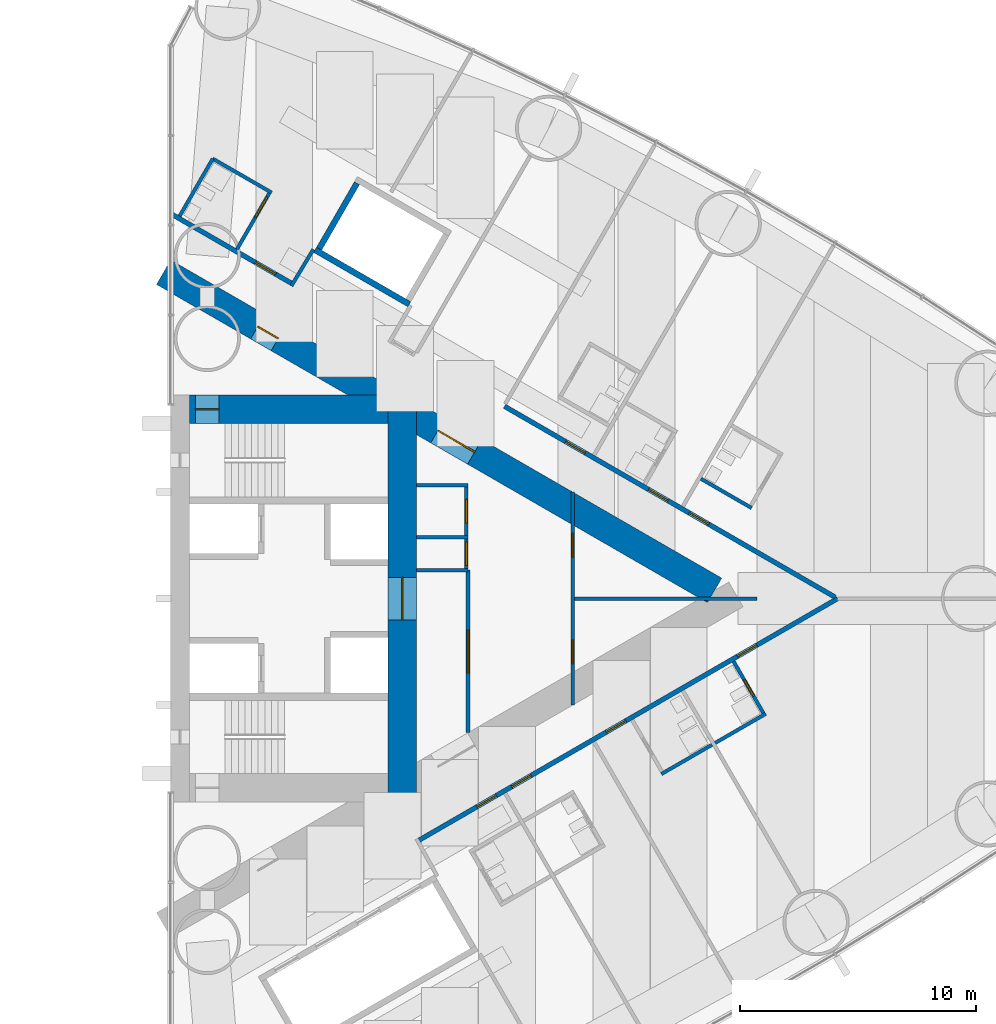
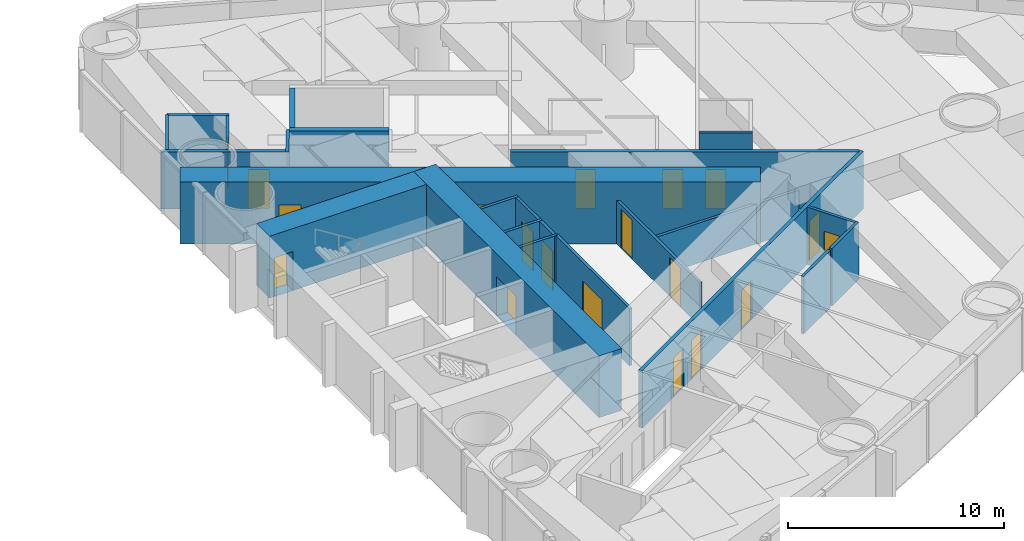
# One storey, part 15 of 19: 24 walls, 19 doors, 19 openings.
"""IFC4 building model written with IfcOpenShell, lengths in metres."""

from ifc_helpers import new_model, si_unit, direction, frame, frame_2d, origin, place, context, subcontext, project, spatial, rectangle, extrude, material, layer, layer_set, type_object, element, fill, save


model = new_model("IFC4")

# Units and contexts
model_context = context("Model", 3, precision=1e-05, world=origin(), true_north=direction((0.0, 1.0)))
body_context = subcontext(model_context, "Body", "Model", "MODEL_VIEW")
ifc_project = project(units=[si_unit("LENGTHUNIT", "METRE"), si_unit("AREAUNIT", "SQUARE_METRE"), si_unit("VOLUMEUNIT", "CUBIC_METRE"), si_unit("PLANEANGLEUNIT", "RADIAN"), si_unit("MASSUNIT", "GRAM", prefix="KILO")], contexts=[model_context])

# Site, building, storey
site_placement = place(None, origin())
site = spatial("IfcSite", under=ifc_project, at=site_placement, CompositionType="ELEMENT")
building_placement = place(site_placement, origin())
building = spatial("IfcBuilding", under=site, at=building_placement, Name="Lancet Gate Hotel", CompositionType="ELEMENT")
storey_placement = place(building_placement, frame((0.0, 0.0, 32.0)))
storey = spatial("IfcBuildingStorey", under=building, at=storey_placement, Name="L07", CompositionType="ELEMENT", Elevation=32.0)

# Walls
ifc_material_1 = material(Name="Moisture resistant board partition")
ifc_layer_1 = layer(ifc_material_1, 0.14990234375)
ifc_layer_set_1 = layer_set([ifc_layer_1], Name="Bathroom wall 150")
wall_type_1 = type_object("IfcWallType", Name="Bathroom wall 150", PredefinedType="PARTITIONING", material=ifc_layer_set_1)
wall_1_placement = place(storey_placement, frame((48.251220703125, -7.419677734375, 0.0), z_axis=(0.0, 0.0, 1.0), x_axis=(0.866006523861, 0.500032699561, 0.0)))
element("IfcWall", 1, at=wall_1_placement, inside=storey, type_object=wall_type_1, Name="T2 bathroom wall 150 L07", PredefinedType="PARTITIONING", context=body_context, shape_type="SweptSolid", body=[
    extrude(rectangle(XDim=2.474853515625, YDim=0.14990234375, at=frame_2d((1.2373046875, 0.0))), origin(), (0.0, 0.0, 1.0), 3.25),
])
wall_2_placement = place(storey_placement, frame((50.5244140625, -6.107177734375, 0.0), z_axis=(0.0, 0.0, 1.0), x_axis=(0.866031185235, 0.4999899861, 0.0)))
element("IfcWall", 2, at=wall_2_placement, inside=storey, type_object=wall_type_1, Name="T2 bathroom wall 150 L07", PredefinedType="PARTITIONING", context=body_context, shape_type="SweptSolid", body=[
    extrude(rectangle(XDim=2.47509765625, YDim=0.14990234375, at=frame_2d((1.237548828125, 0.0))), origin(), (0.0, 0.0, 1.0), 3.25),
])

# Wall, opening, door
wall_3_placement = place(storey_placement, frame((51.302978515625, -2.655517578125, 0.0), z_axis=(0.0, 0.0, 1.0), x_axis=(0.500047596559, -0.865997922154, 0.0)))
wall_3 = element("IfcWall", 3, at=wall_3_placement, inside=storey, type_object=wall_type_1, Name="T2 bathroom wall 150 L07", PredefinedType="PARTITIONING", context=body_context, shape_type="SweptSolid", body=[
    extrude(rectangle(XDim=2.599853515625, YDim=0.14990234375, at=frame_2d((1.2998046875, 0.0))), origin(), (0.0, 0.0, 1.0), 3.25),
])
opening_1_placement = place(wall_3_placement, frame((0.89990234375, 0.0, 0.0)))
opening_1 = element("IfcOpeningElement", 4, at=opening_1_placement, cuts=wall_3, Name="Opening 0756-B", PredefinedType="OPENING", context=body_context, shape_type="SweptSolid", body=[
    extrude(rectangle(XDim=0.800048828125, YDim=2.199951171875, at=frame_2d((0.39990234375, 1.10009765625))), frame((0.0, 0.0849609375, 0.0), z_axis=(0.0, -1.0, 0.0), x_axis=(1.0, 0.0, 0.0)), (0.0, 0.0, 1.0), 0.169921875),
])
ifc_material_2 = material(Name="Timber door set", Category="wood")
door_type_1 = type_object("IfcDoorType", Name="Bathroom door 800", OperationType="SINGLE_SWING_RIGHT", PredefinedType="DOOR", material=ifc_material_2)
door_1_placement = place(opening_1_placement, origin())
door_1 = element("IfcDoor", 5, at=door_1_placement, inside=storey, type_object=door_type_1, Name="0756-B", OperationType="SINGLE_SWING_RIGHT", OverallHeight=2.199951171875, OverallWidth=0.800048828125, PredefinedType="DOOR", context=body_context, shape_type="SweptSolid", body=[
    extrude(rectangle(XDim=0.800048828125, YDim=2.199951171875, at=frame_2d((0.39990234375, 1.10009765625))), frame((0.0, 0.02490234375, 0.0), z_axis=(0.0, -1.0, 0.0), x_axis=(1.0, 0.0, 0.0)), (0.0, 0.0, 1.0), 0.050048828125),
])
fill(opening_1, door_1)

# Walls
wall_4_placement = place(storey_placement, frame((49.924560546875, 5.06787109375, 0.0), z_axis=(0.0, 0.0, 1.0), x_axis=(0.866006523861, -0.500032699561, 0.0)))
element("IfcWall", 6, at=wall_4_placement, inside=storey, type_object=wall_type_1, Name="T2 bathroom wall 150 L07", PredefinedType="PARTITIONING", context=body_context, shape_type="SweptSolid", body=[
    extrude(rectangle(XDim=2.474853515625, YDim=0.14990234375, at=frame_2d((1.2373046875, 0.0))), origin(), (0.0, 0.0, 1.0), 3.25),
])
wall_5_placement = place(storey_placement, frame((29.281982421875, 18.6025390625, 0.0), z_axis=(0.0, 0.0, 1.0), x_axis=(0.866018712932, -0.500011588718, 0.0)))
element("IfcWall", 7, at=wall_5_placement, inside=storey, type_object=wall_type_1, Name="T2 bathroom wall 150 L07", PredefinedType="PARTITIONING", context=body_context, shape_type="SweptSolid", body=[
    extrude(rectangle(XDim=2.875, YDim=0.14990234375, at=frame_2d((1.4375, 0.0))), origin(), (0.0, 0.0, 1.0), 3.25),
])

# Wall, opening, door
wall_6_placement = place(storey_placement, frame((30.306640625, 14.777587890625, 0.0), z_axis=(0.0, 0.0, 1.0), x_axis=(0.500049511043, 0.865996816683, 0.0)))
wall_6 = element("IfcWall", 8, at=wall_6_placement, inside=storey, type_object=wall_type_1, Name="T2 bathroom wall 150 L07", PredefinedType="PARTITIONING", context=body_context, shape_type="SweptSolid", body=[
    extrude(rectangle(XDim=2.800048828125, YDim=0.14990234375, at=frame_2d((1.39990234375, 0.0))), origin(), (0.0, 0.0, 1.0), 3.25),
])
opening_2_placement = place(wall_6_placement, frame((1.550048828125, 0.0, 0.0)))
opening_2 = element("IfcOpeningElement", 9, at=opening_2_placement, cuts=wall_6, Name="Opening 0764-B", PredefinedType="OPENING", context=body_context, shape_type="SweptSolid", body=[
    extrude(rectangle(XDim=1.0, YDim=2.199951171875, at=frame_2d((0.5, 1.10009765625))), frame((0.0, 0.0849609375, 0.0), z_axis=(0.0, -1.0, 0.0), x_axis=(1.0, 0.0, 0.0)), (0.0, 0.0, 1.0), 0.169921875),
])
ifc_material_3 = material(Name="Timber door set", Category="wood")
door_type_2 = type_object("IfcDoorType", Name="Accessible en-suite door 1000", OperationType="SINGLE_SWING_RIGHT", PredefinedType="DOOR", material=ifc_material_3)
door_2_placement = place(opening_2_placement, origin())
door_2 = element("IfcDoor", 10, at=door_2_placement, inside=storey, type_object=door_type_2, Name="0764-B", OperationType="SINGLE_SWING_RIGHT", OverallHeight=2.199951171875, OverallWidth=1.0, PredefinedType="DOOR", context=body_context, shape_type="SweptSolid", body=[
    extrude(rectangle(XDim=1.0, YDim=2.199951171875, at=frame_2d((0.5, 1.10009765625))), frame((0.0, 0.02490234375, 0.0), z_axis=(0.0, -1.0, 0.0), x_axis=(1.0, 0.0, 0.0)), (0.0, 0.0, 1.0), 0.050048828125),
])
fill(opening_2, door_2)

# Wall
wall_7_placement = place(storey_placement, frame((27.8818359375, 16.177490234375, 0.0), z_axis=(0.0, 0.0, 1.0), x_axis=(0.500011755427, 0.866018616679, 0.0)))
element("IfcWall", 11, at=wall_7_placement, inside=storey, type_object=wall_type_1, Name="T2 bathroom wall 150 L07", PredefinedType="PARTITIONING", context=body_context, shape_type="SweptSolid", body=[
    extrude(rectangle(XDim=2.80029296875, YDim=0.14990234375, at=frame_2d((1.400146484375, 0.0))), origin(), (0.0, 0.0, 1.0), 3.25),
])

# Wall, openings, doors
ifc_material_4 = material(Name="Concrete C70/85", Category="concrete")
ifc_layer_2 = layer(ifc_material_4, 1.199951171875)
ifc_layer_set_2 = layer_set([ifc_layer_2], Name="Buttress wall 1200")
wall_type_2 = type_object("IfcWallType", Name="Buttress wall 1200", PredefinedType="SHEAR", material=ifc_layer_set_2)
wall_8_placement = place(storey_placement, frame((27.199951171875, 13.800048828125, 0.0), z_axis=(0.0, 0.0, 1.0), x_axis=(0.866024515034, -0.500001539357, 0.0)))
wall_8 = element("IfcWall", 12, at=wall_8_placement, inside=storey, type_object=wall_type_2, Name="T2 buttress wall N L07", PredefinedType="SHEAR", context=body_context, shape_type="SweptSolid", body=[
    extrude(rectangle(XDim=26.9072265625, YDim=1.199951171875, at=frame_2d((13.45361328125, 0.0))), origin(), (0.0, 0.0, 1.0), 3.5),
])
opening_3_placement = place(wall_8_placement, frame((4.60009765625, 0.0, 0.0)))
opening_3 = element("IfcOpeningElement", 13, at=opening_3_placement, cuts=wall_8, Name="Opening T2-L07-LN", PredefinedType="OPENING", context=body_context, shape_type="SweptSolid", body=[
    extrude(rectangle(XDim=1.0, YDim=2.199951171875, at=frame_2d((0.5, 1.10009765625))), frame((0.0, 0.60986328125, 0.0), z_axis=(0.0, -1.0, 0.0), x_axis=(1.0, 0.0, 0.0)), (0.0, 0.0, 1.0), 1.219970703125),
])
opening_4_placement = place(wall_8_placement, frame((13.39453125, 0.0, 0.0)))
opening_4 = element("IfcOpeningElement", 14, at=opening_4_placement, cuts=wall_8, Name="Opening T2-L07-LHN", PredefinedType="OPENING", context=body_context, shape_type="SweptSolid", body=[
    extrude(rectangle(XDim=1.800048828125, YDim=2.199951171875, at=frame_2d((0.89990234375, 1.10009765625))), frame((0.0, 0.60986328125, 0.0), z_axis=(0.0, -1.0, 0.0), x_axis=(1.0, 0.0, 0.0)), (0.0, 0.0, 1.0), 1.219970703125),
])
ifc_material_5 = material(Name="Timber door set", Category="wood")
door_type_3 = type_object("IfcDoorType", Name="Lobby double door 1800", OperationType="DOUBLE_DOOR_SINGLE_SWING", PredefinedType="DOOR", material=ifc_material_5)
door_3_placement = place(opening_4_placement, origin())
door_3 = element("IfcDoor", 15, at=door_3_placement, inside=storey, type_object=door_type_3, Name="T2-L07-LHN", OperationType="DOUBLE_DOOR_SINGLE_SWING", OverallHeight=2.199951171875, OverallWidth=1.800048828125, PredefinedType="DOOR", context=body_context, shape_type="SweptSolid", body=[
    extrude(rectangle(XDim=1.800048828125, YDim=2.199951171875, at=frame_2d((0.89990234375, 1.10009765625))), frame((0.0, 0.02490234375, 0.0), z_axis=(0.0, -1.0, 0.0), x_axis=(1.0, 0.0, 0.0)), (0.0, 0.0, 1.0), 0.050048828125),
])
fill(opening_4, door_3)
ifc_material_6 = material(Name="Timber door set", Category="wood")
door_type_4 = type_object("IfcDoorType", Name="Stair lobby door 1000", OperationType="SINGLE_SWING_LEFT", PredefinedType="DOOR", material=ifc_material_6)
door_4_placement = place(opening_3_placement, origin())
door_4 = element("IfcDoor", 16, at=door_4_placement, inside=storey, type_object=door_type_4, Name="T2-L07-LN", OperationType="SINGLE_SWING_LEFT", OverallHeight=2.199951171875, OverallWidth=1.0, PredefinedType="DOOR", context=body_context, shape_type="SweptSolid", body=[
    extrude(rectangle(XDim=1.0, YDim=2.199951171875, at=frame_2d((0.5, 1.10009765625))), frame((0.0, 0.02490234375, 0.0), z_axis=(0.0, -1.0, 0.0), x_axis=(1.0, 0.0, 0.0)), (0.0, 0.0, 1.0), 0.050048828125),
])
fill(opening_3, door_4)

# Wall, opening, door
ifc_material_7 = material(Name="Concrete C70/85", Category="concrete")
ifc_layer_3 = layer(ifc_material_7, 1.199951171875)
ifc_layer_set_3 = layer_set([ifc_layer_3], Name="Core wall 1200")
wall_type_3 = type_object("IfcWallType", Name="Core wall 1200", PredefinedType="SHEAR", material=ifc_layer_set_3)
wall_9_placement = place(storey_placement, frame((37.300048828125, -8.60009765625, 0.0), z_axis=(0.0, 0.0, 1.0), x_axis=(0.0, 1.0, 0.0)))
wall_9 = element("IfcWall", 17, at=wall_9_placement, inside=storey, type_object=wall_type_3, Name="T2 core wall back L07", PredefinedType="SHEAR", context=body_context, shape_type="SweptSolid", body=[
    extrude(rectangle(XDim=17.2001953125, YDim=1.199951171875, at=frame_2d((8.60009765625, 0.0))), origin(), (0.0, 0.0, 1.0), 3.5),
])
opening_5_placement = place(wall_9_placement, frame((7.699951171875, 0.0, 0.0)))
opening_5 = element("IfcOpeningElement", 18, at=opening_5_placement, cuts=wall_9, Name="Opening T2-L07-LL", PredefinedType="OPENING", context=body_context, shape_type="SweptSolid", body=[
    extrude(rectangle(XDim=1.800048828125, YDim=2.199951171875, at=frame_2d((0.89990234375, 1.10009765625))), frame((0.0, 0.60986328125, 0.0), z_axis=(0.0, -1.0, 0.0), x_axis=(1.0, 0.0, 0.0)), (0.0, 0.0, 1.0), 1.219970703125),
])
door_5_placement = place(opening_5_placement, origin())
door_5 = element("IfcDoor", 19, at=door_5_placement, inside=storey, type_object=door_type_3, Name="T2-L07-LL", OperationType="DOUBLE_DOOR_SINGLE_SWING", OverallHeight=2.199951171875, OverallWidth=1.800048828125, PredefinedType="DOOR", context=body_context, shape_type="SweptSolid", body=[
    extrude(rectangle(XDim=1.800048828125, YDim=2.199951171875, at=frame_2d((0.89990234375, 1.10009765625))), frame((0.0, 0.02490234375, 0.0), z_axis=(0.0, -1.0, 0.0), x_axis=(1.0, 0.0, 0.0)), (0.0, 0.0, 1.0), 0.050048828125),
])
fill(opening_5, door_5)

wall_10_placement = place(storey_placement, frame((28.300048828125, 8.0, 0.0), z_axis=(0.0, 0.0, 1.0), x_axis=(1.0, 0.0, 0.0)))
wall_10 = element("IfcWall", 20, at=wall_10_placement, inside=storey, type_object=wall_type_3, Name="T2 core wall side-N L07", PredefinedType="SHEAR", context=body_context, shape_type="SweptSolid", body=[
    extrude(rectangle(XDim=8.39990234375, YDim=1.199951171875, at=frame_2d((4.199951171875, 0.0))), origin(), (0.0, 0.0, 1.0), 3.5),
])
opening_6_placement = place(wall_10_placement, frame((0.25, 0.0, 0.0)))
opening_6 = element("IfcOpeningElement", 21, at=opening_6_placement, cuts=wall_10, Name="Opening T2-L07-ST2", PredefinedType="OPENING", context=body_context, shape_type="SweptSolid", body=[
    extrude(rectangle(XDim=1.0, YDim=2.199951171875, at=frame_2d((0.5, 1.10009765625))), frame((0.0, 0.60986328125, 0.0), z_axis=(0.0, -1.0, 0.0), x_axis=(1.0, 0.0, 0.0)), (0.0, 0.0, 1.0), 1.219970703125),
])
ifc_material_8 = material(Name="Timber door set", Category="wood")
door_type_5 = type_object("IfcDoorType", Name="Stair door 1000", OperationType="SINGLE_SWING_RIGHT", PredefinedType="DOOR", material=ifc_material_8)
door_6_placement = place(opening_6_placement, origin())
door_6 = element("IfcDoor", 22, at=door_6_placement, inside=storey, type_object=door_type_5, Name="T2-L07-ST2", OperationType="SINGLE_SWING_RIGHT", OverallHeight=2.199951171875, OverallWidth=1.0, PredefinedType="DOOR", context=body_context, shape_type="SweptSolid", body=[
    extrude(rectangle(XDim=1.0, YDim=2.199951171875, at=frame_2d((0.5, 1.10009765625))), frame((0.0, 0.02490234375, 0.0), z_axis=(0.0, -1.0, 0.0), x_axis=(1.0, 0.0, 0.0)), (0.0, 0.0, 1.0), 0.050048828125),
])
fill(opening_6, door_6)

# Wall, openings, doors
ifc_material_9 = material(Name="Gypsum board partition")
ifc_layer_4 = layer(ifc_material_9, 0.199951171875)
ifc_layer_set_4 = layer_set([ifc_layer_4], Name="Corridor wall 200")
wall_type_4 = type_object("IfcWallType", Name="Corridor wall 200", PredefinedType="PARTITIONING", material=ifc_layer_set_4)
wall_11_placement = place(storey_placement, frame((37.9599609375, -10.243408203125, 0.0), z_axis=(0.0, 0.0, 1.0), x_axis=(0.866026429433, 0.499998223521, 0.0)))
wall_11 = element("IfcWall", 23, at=wall_11_placement, inside=storey, type_object=wall_type_4, Name="T2 corridor wall 200 L07", PredefinedType="PARTITIONING", context=body_context, shape_type="SweptSolid", body=[
    extrude(rectangle(XDim=20.48681640625, YDim=0.199951171875, at=frame_2d((10.243408203125, 0.0))), origin(), (0.0, 0.0, 1.0), 3.25),
])
opening_7_placement = place(wall_11_placement, frame((4.574951171875, 0.0, 0.0)))
opening_7 = element("IfcOpeningElement", 24, at=opening_7_placement, cuts=wall_11, Name="Opening 0754-E", PredefinedType="OPENING", context=body_context, shape_type="SweptSolid", body=[
    extrude(rectangle(XDim=0.949951171875, YDim=2.199951171875, at=frame_2d((0.47509765625, 1.10009765625))), frame((0.0, 0.10986328125, 0.0), z_axis=(0.0, -1.0, 0.0), x_axis=(1.0, 0.0, 0.0)), (0.0, 0.0, 1.0), 0.219970703125),
])
opening_8_placement = place(wall_11_placement, frame((9.199462890625, 0.0, 0.0)))
opening_8 = element("IfcOpeningElement", 25, at=opening_8_placement, cuts=wall_11, Name="Opening 0755-E", PredefinedType="OPENING", context=body_context, shape_type="SweptSolid", body=[
    extrude(rectangle(XDim=0.949951171875, YDim=2.199951171875, at=frame_2d((0.47509765625, 1.10009765625))), frame((0.0, 0.10986328125, 0.0), z_axis=(0.0, -1.0, 0.0), x_axis=(1.0, 0.0, 0.0)), (0.0, 0.0, 1.0), 0.219970703125),
])
opening_9_placement = place(wall_11_placement, frame((15.599365234375, 0.0, 0.0)))
opening_9 = element("IfcOpeningElement", 26, at=opening_9_placement, cuts=wall_11, Name="Opening 0756-E", PredefinedType="OPENING", context=body_context, shape_type="SweptSolid", body=[
    extrude(rectangle(XDim=0.949951171875, YDim=2.199951171875, at=frame_2d((0.47509765625, 1.10009765625))), frame((0.0, 0.10986328125, 0.0), z_axis=(0.0, -1.0, 0.0), x_axis=(1.0, 0.0, 0.0)), (0.0, 0.0, 1.0), 0.219970703125),
])
opening_10_placement = place(wall_11_placement, frame((2.875, 0.0, 0.0)))
opening_10 = element("IfcOpeningElement", 27, at=opening_10_placement, cuts=wall_11, Name="Opening 0753-E", PredefinedType="OPENING", context=body_context, shape_type="SweptSolid", body=[
    extrude(rectangle(XDim=0.949951171875, YDim=2.199951171875, at=frame_2d((0.47509765625, 1.10009765625))), frame((0.0, 0.10986328125, 0.0), z_axis=(0.0, -1.0, 0.0), x_axis=(1.0, 0.0, 0.0)), (0.0, 0.0, 1.0), 0.219970703125),
])
ifc_material_10 = material(Name="Timber door set", Category="wood")
door_type_6 = type_object("IfcDoorType", Name="Guest room entry door 950", OperationType="SINGLE_SWING_LEFT", PredefinedType="DOOR", material=ifc_material_10)
door_7_placement = place(opening_7_placement, origin())
door_7 = element("IfcDoor", 28, at=door_7_placement, inside=storey, type_object=door_type_6, Name="0754-E", OperationType="SINGLE_SWING_LEFT", OverallHeight=2.199951171875, OverallWidth=0.949951171875, PredefinedType="DOOR", context=body_context, shape_type="SweptSolid", body=[
    extrude(rectangle(XDim=0.949951171875, YDim=2.199951171875, at=frame_2d((0.47509765625, 1.10009765625))), frame((0.0, 0.02490234375, 0.0), z_axis=(0.0, -1.0, 0.0), x_axis=(1.0, 0.0, 0.0)), (0.0, 0.0, 1.0), 0.050048828125),
])
fill(opening_7, door_7)
door_8_placement = place(opening_8_placement, origin())
door_8 = element("IfcDoor", 29, at=door_8_placement, inside=storey, type_object=door_type_6, Name="0755-E", OperationType="SINGLE_SWING_LEFT", OverallHeight=2.199951171875, OverallWidth=0.949951171875, PredefinedType="DOOR", context=body_context, shape_type="SweptSolid", body=[
    extrude(rectangle(XDim=0.949951171875, YDim=2.199951171875, at=frame_2d((0.47509765625, 1.10009765625))), frame((0.0, 0.02490234375, 0.0), z_axis=(0.0, -1.0, 0.0), x_axis=(1.0, 0.0, 0.0)), (0.0, 0.0, 1.0), 0.050048828125),
])
fill(opening_8, door_8)
door_9_placement = place(opening_9_placement, origin())
door_9 = element("IfcDoor", 30, at=door_9_placement, inside=storey, type_object=door_type_6, Name="0756-E", OperationType="SINGLE_SWING_LEFT", OverallHeight=2.199951171875, OverallWidth=0.949951171875, PredefinedType="DOOR", context=body_context, shape_type="SweptSolid", body=[
    extrude(rectangle(XDim=0.949951171875, YDim=2.199951171875, at=frame_2d((0.47509765625, 1.10009765625))), frame((0.0, 0.02490234375, 0.0), z_axis=(0.0, -1.0, 0.0), x_axis=(1.0, 0.0, 0.0)), (0.0, 0.0, 1.0), 0.050048828125),
])
fill(opening_9, door_9)
door_10_placement = place(opening_10_placement, origin())
door_10 = element("IfcDoor", 31, at=door_10_placement, inside=storey, type_object=door_type_6, Name="0753-E", OperationType="SINGLE_SWING_LEFT", OverallHeight=2.199951171875, OverallWidth=0.949951171875, PredefinedType="DOOR", context=body_context, shape_type="SweptSolid", body=[
    extrude(rectangle(XDim=0.949951171875, YDim=2.199951171875, at=frame_2d((0.47509765625, 1.10009765625))), frame((0.0, 0.02490234375, 0.0), z_axis=(0.0, -1.0, 0.0), x_axis=(1.0, 0.0, 0.0)), (0.0, 0.0, 1.0), 0.050048828125),
])
fill(opening_10, door_10)

# Wall, opening, door
wall_12_placement = place(storey_placement, frame((27.572021484375, 16.240966796875, 0.0), z_axis=(0.0, 0.0, 1.0), x_axis=(0.866032814021, -0.499987164874, 0.0)))
wall_12 = element("IfcWall", 32, at=wall_12_placement, inside=storey, type_object=wall_type_4, Name="T2 corridor wall 200 L07", PredefinedType="PARTITIONING", context=body_context, shape_type="SweptSolid", body=[
    extrude(rectangle(XDim=5.854736328125, YDim=0.199951171875, at=frame_2d((2.92724609375, 0.0))), origin(), (0.0, 0.0, 1.0), 3.25),
])
opening_11_placement = place(wall_12_placement, frame((4.050048828125, 0.0, 0.0)))
opening_11 = element("IfcOpeningElement", 33, at=opening_11_placement, cuts=wall_12, Name="Opening 0764-E", PredefinedType="OPENING", context=body_context, shape_type="SweptSolid", body=[
    extrude(rectangle(XDim=1.0, YDim=2.199951171875, at=frame_2d((0.5, 1.10009765625))), frame((0.0, 0.10986328125, 0.0), z_axis=(0.0, -1.0, 0.0), x_axis=(1.0, 0.0, 0.0)), (0.0, 0.0, 1.0), 0.219970703125),
])
ifc_material_11 = material(Name="Timber door set", Category="wood")
door_type_7 = type_object("IfcDoorType", Name="Accessible guest room door 1000", OperationType="SINGLE_SWING_LEFT", PredefinedType="DOOR", material=ifc_material_11)
door_11_placement = place(opening_11_placement, origin())
door_11 = element("IfcDoor", 34, at=door_11_placement, inside=storey, type_object=door_type_7, Name="0764-E", OperationType="SINGLE_SWING_LEFT", OverallHeight=2.199951171875, OverallWidth=1.0, PredefinedType="DOOR", context=body_context, shape_type="SweptSolid", body=[
    extrude(rectangle(XDim=1.0, YDim=2.199951171875, at=frame_2d((0.5, 1.10009765625))), frame((0.0, 0.02490234375, 0.0), z_axis=(0.0, -1.0, 0.0), x_axis=(1.0, 0.0, 0.0)), (0.0, 0.0, 1.0), 0.050048828125),
])
fill(opening_11, door_11)

# Wall, openings, doors
wall_13_placement = place(storey_placement, frame((41.618896484375, 8.130859375, 0.0), z_axis=(0.0, 0.0, 1.0), x_axis=(0.86603245327, -0.499987789734, 0.0)))
wall_13 = element("IfcWall", 35, at=wall_13_placement, inside=storey, type_object=wall_type_4, Name="T2 corridor wall 200 L07", PredefinedType="PARTITIONING", context=body_context, shape_type="SweptSolid", body=[
    extrude(rectangle(XDim=16.14208984375, YDim=0.199951171875, at=frame_2d((8.071044921875, 0.0))), origin(), (0.0, 0.0, 1.0), 3.25),
])
opening_12_placement = place(wall_13_placement, frame((9.0244140625, 0.0, 0.0)))
opening_12 = element("IfcOpeningElement", 36, at=opening_12_placement, cuts=wall_13, Name="Opening 0758-E", PredefinedType="OPENING", context=body_context, shape_type="SweptSolid", body=[
    extrude(rectangle(XDim=0.949951171875, YDim=2.199951171875, at=frame_2d((0.47509765625, 1.10009765625))), frame((0.0, 0.10986328125, 0.0), z_axis=(0.0, -1.0, 0.0), x_axis=(1.0, 0.0, 0.0)), (0.0, 0.0, 1.0), 0.219970703125),
])
opening_13_placement = place(wall_13_placement, frame((7.03662109375, 0.0, 0.0)))
opening_13 = element("IfcOpeningElement", 37, at=opening_13_placement, cuts=wall_13, Name="Opening 0760-E", PredefinedType="OPENING", context=body_context, shape_type="SweptSolid", body=[
    extrude(rectangle(XDim=0.949951171875, YDim=2.199951171875, at=frame_2d((0.47509765625, 1.10009765625))), frame((0.0, 0.10986328125, 0.0), z_axis=(0.0, -1.0, 0.0), x_axis=(1.0, 0.0, 0.0)), (0.0, 0.0, 1.0), 0.219970703125),
])
opening_14_placement = place(wall_13_placement, frame((2.986572265625, 0.0, 0.0)))
opening_14 = element("IfcOpeningElement", 38, at=opening_14_placement, cuts=wall_13, Name="Opening 0761-E", PredefinedType="OPENING", context=body_context, shape_type="SweptSolid", body=[
    extrude(rectangle(XDim=0.949951171875, YDim=2.199951171875, at=frame_2d((0.47509765625, 1.10009765625))), frame((0.0, 0.10986328125, 0.0), z_axis=(0.0, -1.0, 0.0), x_axis=(1.0, 0.0, 0.0)), (0.0, 0.0, 1.0), 0.219970703125),
])
door_12_placement = place(opening_12_placement, origin())
door_12 = element("IfcDoor", 39, at=door_12_placement, inside=storey, type_object=door_type_6, Name="0758-E", OperationType="SINGLE_SWING_LEFT", OverallHeight=2.199951171875, OverallWidth=0.949951171875, PredefinedType="DOOR", context=body_context, shape_type="SweptSolid", body=[
    extrude(rectangle(XDim=0.949951171875, YDim=2.199951171875, at=frame_2d((0.47509765625, 1.10009765625))), frame((0.0, 0.02490234375, 0.0), z_axis=(0.0, -1.0, 0.0), x_axis=(1.0, 0.0, 0.0)), (0.0, 0.0, 1.0), 0.050048828125),
])
fill(opening_12, door_12)
door_13_placement = place(opening_13_placement, origin())
door_13 = element("IfcDoor", 40, at=door_13_placement, inside=storey, type_object=door_type_6, Name="0760-E", OperationType="SINGLE_SWING_LEFT", OverallHeight=2.199951171875, OverallWidth=0.949951171875, PredefinedType="DOOR", context=body_context, shape_type="SweptSolid", body=[
    extrude(rectangle(XDim=0.949951171875, YDim=2.199951171875, at=frame_2d((0.47509765625, 1.10009765625))), frame((0.0, 0.02490234375, 0.0), z_axis=(0.0, -1.0, 0.0), x_axis=(1.0, 0.0, 0.0)), (0.0, 0.0, 1.0), 0.050048828125),
])
fill(opening_13, door_13)
door_14_placement = place(opening_14_placement, origin())
door_14 = element("IfcDoor", 41, at=door_14_placement, inside=storey, type_object=door_type_6, Name="0761-E", OperationType="SINGLE_SWING_LEFT", OverallHeight=2.199951171875, OverallWidth=0.949951171875, PredefinedType="DOOR", context=body_context, shape_type="SweptSolid", body=[
    extrude(rectangle(XDim=0.949951171875, YDim=2.199951171875, at=frame_2d((0.47509765625, 1.10009765625))), frame((0.0, 0.02490234375, 0.0), z_axis=(0.0, -1.0, 0.0), x_axis=(1.0, 0.0, 0.0)), (0.0, 0.0, 1.0), 0.050048828125),
])
fill(opening_14, door_14)

# Walls
ifc_material_12 = material(Name="Gypsum board partition")
ifc_layer_5 = layer(ifc_material_12, 0.25)
ifc_layer_set_5 = layer_set([ifc_layer_5], Name="Lift shaft partition 250")
wall_type_5 = type_object("IfcWallType", Name="Lift shaft partition 250", PredefinedType="PARTITIONING", material=ifc_layer_set_5)
wall_14_placement = place(storey_placement, frame((33.6083984375, 14.747314453125, 0.0), z_axis=(0.0, 0.0, 1.0), x_axis=(0.866043305498, -0.49996899204, 0.0)))
element("IfcWall", 42, at=wall_14_placement, inside=storey, type_object=wall_type_5, Name="T2 lift shaft wall EX L07", PredefinedType="PARTITIONING", context=body_context, shape_type="SweptSolid", body=[
    extrude(rectangle(XDim=4.600341796875, YDim=0.25, at=frame_2d((2.30029296875, 0.0))), origin(), (0.0, 0.0, 1.0), 3.25),
])
wall_15_placement = place(storey_placement, frame((33.779296875, 14.79296875, 0.0), z_axis=(0.0, 0.0, 1.0), x_axis=(0.499929347863, 0.866066190972, 0.0)))
element("IfcWall", 43, at=wall_15_placement, inside=storey, type_object=wall_type_5, Name="T2 lift shaft wall EX L07", PredefinedType="PARTITIONING", context=body_context, shape_type="SweptSolid", body=[
    extrude(rectangle(XDim=3.20068359375, YDim=0.25, at=frame_2d((1.600341796875, 0.0))), origin(), (0.0, 0.0, 1.0), 3.25),
])
ifc_material_13 = material(Name="Gypsum board partition")
ifc_layer_6 = layer(ifc_material_13, 0.14990234375)
ifc_layer_set_6 = layer_set([ifc_layer_6], Name="Service room wall 150")
wall_type_6 = type_object("IfcWallType", Name="Service room wall 150", PredefinedType="PARTITIONING", material=ifc_layer_set_6)
wall_16_placement = place(storey_placement, frame((33.533447265625, 14.767333984375, 0.0), z_axis=(0.0, 0.0, 1.0), x_axis=(-0.514296815006, -0.857612258585, 0.0)))
element("IfcWall", 44, at=wall_16_placement, inside=storey, type_object=wall_type_6, Name="T2 service room wall 150 L07", PredefinedType="PARTITIONING", context=body_context, shape_type="SweptSolid", body=[
    extrude(rectangle(XDim=1.804931640625, YDim=0.14990234375, at=frame_2d((0.90234375, 0.0))), origin(), (0.0, 0.0, 1.0), 3.25),
])
for number, where, z_axis, x_axis, name in (
    (45, (37.89990234375, 1.199951171875, 0.0), (0.0, 0.0, 1.0), (1.0, 0.0, 0.0), "T2 service room wall 150 L07"),
    (46, (37.89990234375, 2.60009765625, 0.0), (0.0, 0.0, 1.0), (1.0, 0.0, 0.0), "T2 service room wall 150 L07"),
    (47, (37.89990234375, 4.800048828125, 0.0), (0.0, 0.0, 1.0), (1.0, 0.0, 0.0), "T2 service room wall 150 L07"),
):
    element("IfcWall", number, at=place(storey_placement, frame(where, z_axis=z_axis, x_axis=x_axis)), inside=storey, type_object=wall_type_6, Name=name, PredefinedType="PARTITIONING", context=body_context, shape_type="SweptSolid", body=[
        extrude(rectangle(XDim=2.175048828125, YDim=0.14990234375, at=frame_2d((1.08740234375, 0.0))), origin(), (0.0, 0.0, 1.0), 3.25),
    ])

# Wall, opening, door
wall_17_placement = place(storey_placement, frame((40.0, 1.125, 0.0), z_axis=(0.0, 0.0, 1.0), x_axis=(0.0, 1.0, 0.0)))
wall_17 = element("IfcWall", 48, at=wall_17_placement, inside=storey, type_object=wall_type_6, Name="T2 service room wall 150 L07", PredefinedType="PARTITIONING", context=body_context, shape_type="SweptSolid", body=[
    extrude(rectangle(XDim=1.550048828125, YDim=0.14990234375, at=frame_2d((0.77490234375, 0.0))), origin(), (0.0, 0.0, 1.0), 3.25),
])
opening_15_placement = place(wall_17_placement, frame((0.27490234375, 0.0, 0.0)))
opening_15 = element("IfcOpeningElement", 49, at=opening_15_placement, cuts=wall_17, Name="Opening T2-L07-HRN0", PredefinedType="OPENING", context=body_context, shape_type="SweptSolid", body=[
    extrude(rectangle(XDim=1.0, YDim=2.199951171875, at=frame_2d((0.5, 1.10009765625))), frame((0.0, 0.0849609375, 0.0), z_axis=(0.0, -1.0, 0.0), x_axis=(1.0, 0.0, 0.0)), (0.0, 0.0, 1.0), 0.169921875),
])
ifc_material_14 = material(Name="Timber door set", Category="wood")
door_type_8 = type_object("IfcDoorType", Name="Service door 1000", OperationType="SINGLE_SWING_LEFT", PredefinedType="DOOR", material=ifc_material_14)
door_15_placement = place(opening_15_placement, origin())
door_15 = element("IfcDoor", 50, at=door_15_placement, inside=storey, type_object=door_type_8, Name="T2-L07-HRN0", OperationType="SINGLE_SWING_LEFT", OverallHeight=2.199951171875, OverallWidth=1.0, PredefinedType="DOOR", context=body_context, shape_type="SweptSolid", body=[
    extrude(rectangle(XDim=1.0, YDim=2.199951171875, at=frame_2d((0.5, 1.10009765625))), frame((0.0, 0.02490234375, 0.0), z_axis=(0.0, -1.0, 0.0), x_axis=(1.0, 0.0, 0.0)), (0.0, 0.0, 1.0), 0.050048828125),
])
fill(opening_15, door_15)

wall_18_placement = place(storey_placement, frame((40.0, 2.52490234375, 0.0), z_axis=(0.0, 0.0, 1.0), x_axis=(0.0, 1.0, 0.0)))
wall_18 = element("IfcWall", 51, at=wall_18_placement, inside=storey, type_object=wall_type_6, Name="T2 service room wall 150 L07", PredefinedType="PARTITIONING", context=body_context, shape_type="SweptSolid", body=[
    extrude(rectangle(XDim=2.35009765625, YDim=0.14990234375, at=frame_2d((1.175048828125, 0.0))), origin(), (0.0, 0.0, 1.0), 3.25),
])
opening_16_placement = place(wall_18_placement, frame((0.675048828125, 0.0, 0.0)))
opening_16 = element("IfcOpeningElement", 52, at=opening_16_placement, cuts=wall_18, Name="Opening T2-L07-HRN1", PredefinedType="OPENING", context=body_context, shape_type="SweptSolid", body=[
    extrude(rectangle(XDim=1.0, YDim=2.199951171875, at=frame_2d((0.5, 1.10009765625))), frame((0.0, 0.0849609375, 0.0), z_axis=(0.0, -1.0, 0.0), x_axis=(1.0, 0.0, 0.0)), (0.0, 0.0, 1.0), 0.169921875),
])
door_16_placement = place(opening_16_placement, origin())
door_16 = element("IfcDoor", 53, at=door_16_placement, inside=storey, type_object=door_type_8, Name="T2-L07-HRN1", OperationType="SINGLE_SWING_LEFT", OverallHeight=2.199951171875, OverallWidth=1.0, PredefinedType="DOOR", context=body_context, shape_type="SweptSolid", body=[
    extrude(rectangle(XDim=1.0, YDim=2.199951171875, at=frame_2d((0.5, 1.10009765625))), frame((0.0, 0.02490234375, 0.0), z_axis=(0.0, -1.0, 0.0), x_axis=(1.0, 0.0, 0.0)), (0.0, 0.0, 1.0), 0.050048828125),
])
fill(opening_16, door_16)

wall_19_placement = place(storey_placement, frame((40.074951171875, -5.673828125, 0.0), z_axis=(0.0, 0.0, 1.0), x_axis=(0.0, 1.0, 0.0)))
wall_19 = element("IfcWall", 54, at=wall_19_placement, inside=storey, type_object=wall_type_6, Name="T2 service room wall 150 L07", PredefinedType="PARTITIONING", context=body_context, shape_type="SweptSolid", body=[
    extrude(rectangle(XDim=6.873779296875, YDim=0.14990234375, at=frame_2d((3.43701171875, 0.0))), origin(), (0.0, 0.0, 1.0), 3.25),
])
opening_17_placement = place(wall_19_placement, frame((2.536865234375, 0.0, 0.0)))
opening_17 = element("IfcOpeningElement", 55, at=opening_17_placement, cuts=wall_19, Name="Opening T2-L07-LH", PredefinedType="OPENING", context=body_context, shape_type="SweptSolid", body=[
    extrude(rectangle(XDim=1.800048828125, YDim=2.199951171875, at=frame_2d((0.89990234375, 1.10009765625))), frame((0.0, 0.0849609375, 0.0), z_axis=(0.0, -1.0, 0.0), x_axis=(1.0, 0.0, 0.0)), (0.0, 0.0, 1.0), 0.169921875),
])
door_17_placement = place(opening_17_placement, origin())
door_17 = element("IfcDoor", 56, at=door_17_placement, inside=storey, type_object=door_type_3, Name="T2-L07-LH", OperationType="DOUBLE_DOOR_SINGLE_SWING", OverallHeight=2.199951171875, OverallWidth=1.800048828125, PredefinedType="DOOR", context=body_context, shape_type="SweptSolid", body=[
    extrude(rectangle(XDim=1.800048828125, YDim=2.199951171875, at=frame_2d((0.89990234375, 1.10009765625))), frame((0.0, 0.02490234375, 0.0), z_axis=(0.0, -1.0, 0.0), x_axis=(1.0, 0.0, 0.0)), (0.0, 0.0, 1.0), 0.050048828125),
])
fill(opening_17, door_17)

# Wall, openings, doors
wall_20_placement = place(storey_placement, frame((44.5, -4.504638671875, 0.0), z_axis=(0.0, 0.0, 1.0), x_axis=(0.0, 1.0, 0.0)))
wall_20 = element("IfcWall", 57, at=wall_20_placement, inside=storey, type_object=wall_type_6, Name="T2 service room wall 150 L07", PredefinedType="PARTITIONING", context=body_context, shape_type="SweptSolid", body=[
    extrude(rectangle(XDim=9.00927734375, YDim=0.14990234375, at=frame_2d((4.504638671875, 0.0))), origin(), (0.0, 0.0, 1.0), 2.449951171875),
])
opening_18_placement = place(wall_20_placement, frame((1.752197265625, 0.0, 0.0)))
opening_18 = element("IfcOpeningElement", 58, at=opening_18_placement, cuts=wall_20, Name="Opening T2-L07-SV", PredefinedType="OPENING", context=body_context, shape_type="SweptSolid", body=[
    extrude(rectangle(XDim=1.0, YDim=2.199951171875, at=frame_2d((0.5, 1.10009765625))), frame((0.0, 0.0849609375, 0.0), z_axis=(0.0, -1.0, 0.0), x_axis=(1.0, 0.0, 0.0)), (0.0, 0.0, 1.0), 0.169921875),
])
opening_19_placement = place(wall_20_placement, frame((6.2568359375, 0.0, 0.0)))
opening_19 = element("IfcOpeningElement", 59, at=opening_19_placement, cuts=wall_20, Name="Opening T2-L07-SV2", PredefinedType="OPENING", context=body_context, shape_type="SweptSolid", body=[
    extrude(rectangle(XDim=1.0, YDim=2.199951171875, at=frame_2d((0.5, 1.10009765625))), frame((0.0, 0.0849609375, 0.0), z_axis=(0.0, -1.0, 0.0), x_axis=(1.0, 0.0, 0.0)), (0.0, 0.0, 1.0), 0.169921875),
])
door_18_placement = place(opening_18_placement, origin())
door_18 = element("IfcDoor", 60, at=door_18_placement, inside=storey, type_object=door_type_8, Name="T2-L07-SV", OperationType="SINGLE_SWING_LEFT", OverallHeight=2.199951171875, OverallWidth=1.0, PredefinedType="DOOR", context=body_context, shape_type="SweptSolid", body=[
    extrude(rectangle(XDim=1.0, YDim=2.199951171875, at=frame_2d((0.5, 1.10009765625))), frame((0.0, 0.02490234375, 0.0), z_axis=(0.0, -1.0, 0.0), x_axis=(1.0, 0.0, 0.0)), (0.0, 0.0, 1.0), 0.050048828125),
])
fill(opening_18, door_18)
door_19_placement = place(opening_19_placement, origin())
door_19 = element("IfcDoor", 61, at=door_19_placement, inside=storey, type_object=door_type_8, Name="T2-L07-SV2", OperationType="SINGLE_SWING_LEFT", OverallHeight=2.199951171875, OverallWidth=1.0, PredefinedType="DOOR", context=body_context, shape_type="SweptSolid", body=[
    extrude(rectangle(XDim=1.0, YDim=2.199951171875, at=frame_2d((0.5, 1.10009765625))), frame((0.0, 0.02490234375, 0.0), z_axis=(0.0, -1.0, 0.0), x_axis=(1.0, 0.0, 0.0)), (0.0, 0.0, 1.0), 0.050048828125),
])
fill(opening_19, door_19)

# Wall
wall_21_placement = place(storey_placement, frame((44.574951171875, 0.0, 0.0), z_axis=(0.0, 0.0, 1.0), x_axis=(1.0, 0.0, 0.0)))
element("IfcWall", 62, at=wall_21_placement, inside=storey, type_object=wall_type_6, Name="T2 service room wall 150 L07", PredefinedType="PARTITIONING", context=body_context, shape_type="SweptSolid", body=[
    extrude(rectangle(XDim=7.727294921875, YDim=0.14990234375, at=frame_2d((3.86376953125, 0.0))), origin(), (0.0, 0.0, 1.0), 2.25),
])

save(model, "model.ifc")
